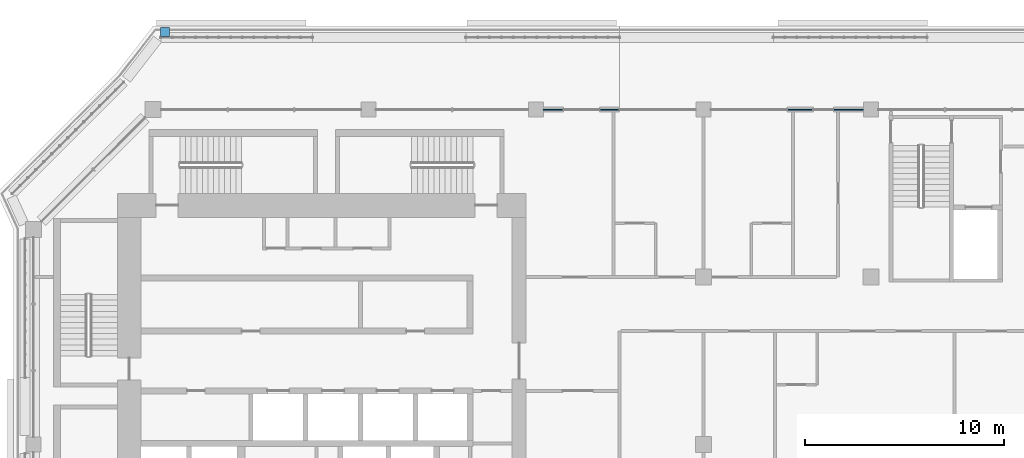
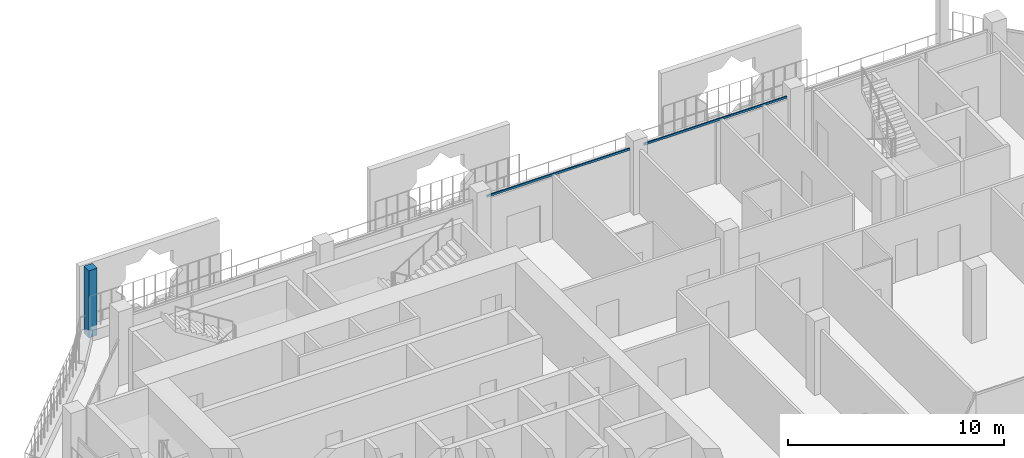
# One storey, part 7 of 21: 3 members, 2 elements without a shape of their own.
"""IFC4 building model written with IfcOpenShell, lengths in metres."""

from ifc_helpers import new_model, si_unit, direction, frame, origin, origin_2d, place, context, subcontext, project, spatial, rectangle, extrude, material, layer, layer_set, material_profile, profile_set, type_object, element, aggregate, save


model = new_model("IFC4")

# Units and contexts
model_context = context("Model", 3, precision=1e-05, world=origin(), true_north=direction((0.0, 1.0)))
body_context = subcontext(model_context, "Body", "Model", "MODEL_VIEW")
ifc_project = project(units=[si_unit("LENGTHUNIT", "METRE"), si_unit("AREAUNIT", "SQUARE_METRE"), si_unit("VOLUMEUNIT", "CUBIC_METRE"), si_unit("PLANEANGLEUNIT", "RADIAN"), si_unit("MASSUNIT", "GRAM", prefix="KILO")], contexts=[model_context])

# Site, building, storey
site_placement = place(None, origin())
site = spatial("IfcSite", under=ifc_project, at=site_placement, CompositionType="ELEMENT")
building_placement = place(site_placement, origin())
building = spatial("IfcBuilding", under=site, at=building_placement, Name="Kawkab Arch Medical Tower", CompositionType="ELEMENT")
storey_placement = place(building_placement, frame((0.0, 0.0, 307.0)))
storey = spatial("IfcBuildingStorey", under=building, at=storey_placement, Name="L71", CompositionType="ELEMENT", Elevation=307.0)

# Curtain wall, members
ifc_material_1 = material(Name="Bronze anodised aluminium curtain wall frame", Category="aluminium")
ifc_layer_1 = layer(ifc_material_1, 0.159912109375)
ifc_layer_set_1 = layer_set([ifc_layer_1], Name="Bronze anodised aluminium curtain wall frame")
curtain_wall_type_1 = type_object("IfcCurtainWallType", Name="CW1 ward curtain wall", PredefinedType="NOTDEFINED", material=ifc_layer_set_1)
placement = place(storey_placement, origin())
curtain_wall_1 = element("IfcCurtainWall", 1, at=placement, inside=storey, type_object=curtain_wall_type_1, Name="CW1 Ward curtain wall R15", PredefinedType="NOTDEFINED")
ifc_material_2 = material(Name="Bronze anodised aluminium curtain wall frame", Category="aluminium")
ifc_material_profile_1 = material_profile(ifc_material_2, rectangle(XDim=0.06005859375, YDim=0.1201171875, at=origin_2d()), Name="AL 60x120")
ifc_profile_set_1 = profile_set([ifc_material_profile_1], Name="Bronze anodised aluminium curtain wall frame")
member_type_1 = type_object("IfcMemberType", Name="CW1 transom 120 x 60", PredefinedType="USERDEFINED", material=ifc_profile_set_1)
member_1_placement = place(storey_placement, frame((41.625, 0.0, 3.5400390625), z_axis=(-1.0, 0.0, 0.0), x_axis=(0.0, -1.0, 0.0)))
member_1 = element("IfcMember", 2, at=member_1_placement, type_object=member_type_1, Name="CW1 transom 2", ObjectType="TRANSOM", PredefinedType="USERDEFINED", context=body_context, shape_type="SweptSolid", body=[
    extrude(rectangle(XDim=0.06005859375, YDim=0.1201171875, at=origin_2d()), origin(), (0.0, 0.0, 1.0), 7.64990234375),
])
member_2_placement = place(storey_placement, frame((33.22509765625, 0.0, 3.5400390625), z_axis=(-1.0, 0.0, 0.0), x_axis=(0.0, -1.0, 0.0)))
member_2 = element("IfcMember", 3, at=member_2_placement, type_object=member_type_1, Name="CW1 transom 3", ObjectType="TRANSOM", PredefinedType="USERDEFINED", context=body_context, shape_type="SweptSolid", body=[
    extrude(rectangle(XDim=0.06005859375, YDim=0.1201171875, at=origin_2d()), origin(), (0.0, 0.0, 1.0), 7.650146484375),
])
aggregate(curtain_wall_1, [member_1, member_2])

# Curtain wall, member
ifc_material_3 = material(Name="Bronze anodised aluminium climber frame, planted", Category="aluminium")
ifc_layer_2 = layer(ifc_material_3, 0.449951171875)
ifc_layer_set_2 = layer_set([ifc_layer_2], Name="Bronze anodised aluminium climber frame, planted")
curtain_wall_type_2 = type_object("IfcCurtainWallType", Name="Planted climber frame", PredefinedType="NOTDEFINED", material=ifc_layer_set_2)
curtain_wall_2 = element("IfcCurtainWall", 4, at=placement, inside=storey, type_object=curtain_wall_type_2, Name="Planted climber frame L71", PredefinedType="NOTDEFINED")
ifc_material_4 = material(Name="Bronze anodised aluminium climber frame, planted", Category="aluminium")
ifc_material_profile_2 = material_profile(ifc_material_4, rectangle(XDim=0.449951171875, YDim=0.449951171875, at=origin_2d()), Name="Post 450x450")
ifc_profile_set_2 = profile_set([ifc_material_profile_2], Name="Bronze anodised aluminium climber frame, planted")
member_type_2 = type_object("IfcMemberType", Name="Planted climber post 450 x 450", PredefinedType="MULLION", material=ifc_profile_set_2)
member_3_placement = place(storey_placement, frame((6.596923828125, 3.89990234375, 0.0), z_axis=(0.0, 0.0, 1.0), x_axis=(1.0, 0.0, 0.0)))
member_3 = element("IfcMember", 5, at=member_3_placement, type_object=member_type_2, Name="Planted climber post L71.LOG-01-01.3", PredefinedType="MULLION", context=body_context, shape_type="SweptSolid", body=[
    extrude(rectangle(XDim=0.449951171875, YDim=0.449951171875, at=origin_2d()), origin(), (0.0, 0.0, 1.0), 3.800048828125),
])
aggregate(curtain_wall_2, [member_3])

save(model, "model.ifc")
